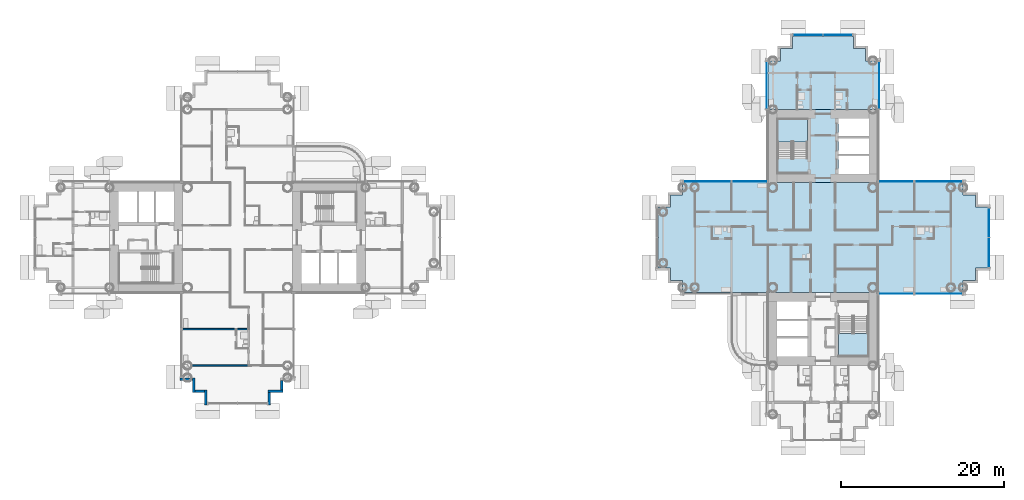
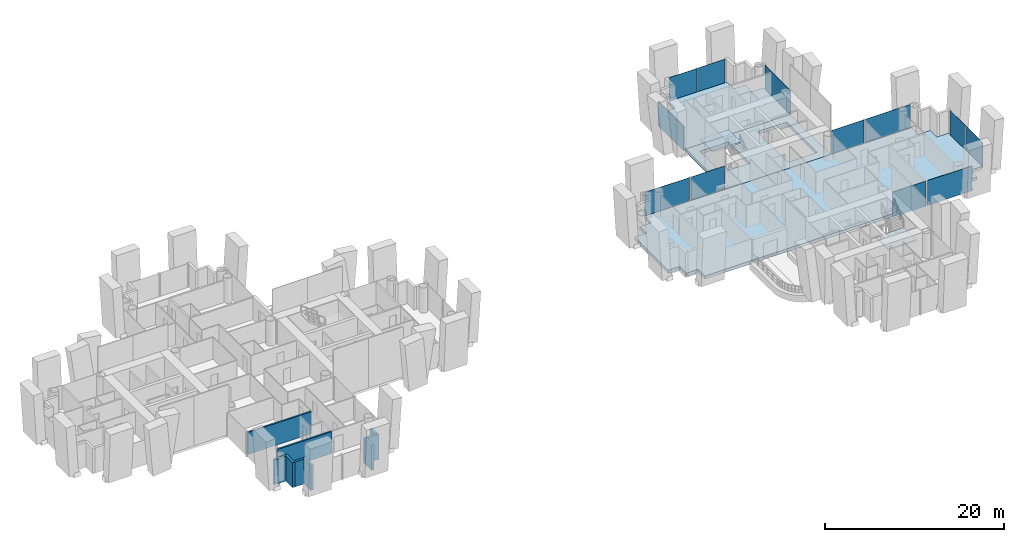
# One storey, part 9 of 23: 12 plates, 9 walls, 5 slabs, 12 elements without a shape of their own.
"""IFC4 building model written with IfcOpenShell, lengths in metres."""

from ifc_helpers import new_model, si_unit, direction, frame, frame_2d, origin, origin_2d, place, context, subcontext, project, spatial, polyline, rectangle, outline, extrude, material, layer, layer_set, type_object, element, aggregate, save


model = new_model("IFC4")

# Units and contexts
model_context = context("Model", 3, precision=1e-05, world=origin(), true_north=direction((0.0, 1.0)))
body_context = subcontext(model_context, "Body", "Model", "MODEL_VIEW")
ifc_project = project(units=[si_unit("LENGTHUNIT", "METRE"), si_unit("AREAUNIT", "SQUARE_METRE"), si_unit("VOLUMEUNIT", "CUBIC_METRE"), si_unit("PLANEANGLEUNIT", "RADIAN"), si_unit("MASSUNIT", "GRAM", prefix="KILO")], contexts=[model_context])

# Site, building, storey
site_placement = place(None, origin())
site = spatial("IfcSite", under=ifc_project, at=site_placement, CompositionType="ELEMENT")
building_placement = place(site_placement, origin())
building = spatial("IfcBuilding", under=site, at=building_placement, Name="Ipe Terrace Towers", CompositionType="ELEMENT")
storey_placement = place(building_placement, frame((0.0, 0.0, 51.699951171875)))
storey = spatial("IfcBuildingStorey", under=building, at=storey_placement, Name="L13", CompositionType="ELEMENT", Elevation=51.699951171875)

# Slab
ifc_material_1 = material(Name="Concrete C30/37", Category="concrete")
ifc_layer_1 = layer(ifc_material_1, 0.39990234375)
ifc_layer_set_1 = layer_set([ifc_layer_1], Name="CORE FLOOR SLAB 400 C30-37")
slab_type_1 = type_object("IfcSlabType", Name="CORE FLOOR SLAB 400 C30-37", PredefinedType="FLOOR", material=ifc_layer_set_1)
slab_1_placement = place(storey_placement, frame((0.0, 0.0, -0.39990234375)))
element("IfcSlab", 1, at=slab_1_placement, inside=storey, type_object=slab_type_1, Name="Core floor T2-C1", PredefinedType="FLOOR", context=body_context, shape_type="SweptSolid", body=[
    extrude(outline(polyline([(29.25, 6.75), (29.25, 15.75), (42.75, 15.75), (42.75, 6.75), (29.25, 6.75)]), holes=[polyline([(41.64990234375, 7.85009765625), (41.64990234375, 14.64990234375), (37.89990234375, 14.64990234375), (37.89990234375, 7.85009765625), (41.64990234375, 7.85009765625)]), polyline([(30.449951171875, 9.800048828125), (34.10009765625, 9.800048828125), (34.10009765625, 14.550048828125), (30.449951171875, 14.550048828125), (30.449951171875, 9.800048828125)])]), origin(), (0.0, 0.0, 1.0), 0.39990234375),
])

# Stair, slab
ifc_material_2 = material(Name="Concrete C30/37", Category="concrete")
stair_type = type_object("IfcStairType", Name="Protected exit stair", PredefinedType="HALF_TURN_STAIR", material=ifc_material_2)
stair_1_placement = place(storey_placement, origin())
stair_1 = element("IfcStair", 2, at=stair_1_placement, inside=storey, type_object=stair_type, Name="L13 Exit stair T2-C1", PredefinedType="HALF_TURN_STAIR")
ifc_material_3 = material(Name="Concrete C30/37", Category="concrete")
ifc_layer_2 = layer(ifc_material_3, 0.199951171875)
ifc_layer_set_2 = layer_set([ifc_layer_2], Name="Exit stair landing 200")
slab_type_2 = type_object("IfcSlabType", Name="Exit stair landing 200", PredefinedType="LANDING", material=ifc_layer_set_2)
slab_2_placement = place(storey_placement, frame((0.0, 0.0, 1.5)))
slab_2 = element("IfcSlab", 3, at=slab_2_placement, type_object=slab_type_2, Name="T2-ST1 landing 1", PredefinedType="LANDING", context=body_context, shape_type="SweptSolid", body=[
    extrude(outline(polyline([(34.10009765625, 11.780029296875), (34.10009765625, 14.550048828125), (30.449951171875, 14.550048828125), (30.449951171875, 11.780029296875), (34.10009765625, 11.780029296875)])), origin(), (0.0, 0.0, 1.0), 0.199951171875),
])
aggregate(stair_1, [slab_2])

stair_2_placement = place(storey_placement, origin())
stair_2 = element("IfcStair", 4, at=stair_2_placement, inside=storey, type_object=stair_type, Name="L13 Exit stair T2-C2", PredefinedType="HALF_TURN_STAIR")
slab_3_placement = place(storey_placement, frame((0.0, 0.0, 1.5)))
slab_3 = element("IfcSlab", 5, at=slab_3_placement, type_object=slab_type_2, Name="T2-ST2 landing 1", PredefinedType="LANDING", context=body_context, shape_type="SweptSolid", body=[
    extrude(outline(polyline([(37.89990234375, -11.780029296875), (37.89990234375, -14.550048828125), (41.550048828125, -14.550048828125), (41.550048828125, -11.780029296875), (37.89990234375, -11.780029296875)])), origin(), (0.0, 0.0, 1.0), 0.199951171875),
])
aggregate(stair_2, [slab_3])

# Slabs
ifc_material_4 = material(Name="Concrete C40/50", Category="concrete")
ifc_layer_3 = layer(ifc_material_4, 0.39990234375)
ifc_layer_set_3 = layer_set([ifc_layer_3], Name="FLAT PLATE SLAB 400 C40-50")
slab_type_3 = type_object("IfcSlabType", Name="FLAT PLATE SLAB 400 C40-50", PredefinedType="FLOOR", material=ifc_layer_set_3)
slab_4_placement = place(storey_placement, frame((0.0, 0.0, -0.39990234375)))
element("IfcSlab", 6, at=slab_4_placement, inside=storey, type_object=slab_type_3, Name="Slab T2-FS-Z11", PredefinedType="FLOOR", context=body_context, shape_type="SweptSolid", body=[
    extrude(outline(polyline([(53.25, 5.25), (54.75, 5.25), (54.75, 3.75), (56.25, 3.75), (56.25, -3.75), (54.75, -3.75), (54.75, -5.25), (53.25, -5.25), (53.25, -6.75), (42.75, -6.75), (29.25, -6.75), (18.75, -6.75), (18.75, -5.25), (17.25, -5.25), (17.25, -3.75), (15.75, -3.75), (15.75, 3.75), (17.25, 3.75), (17.25, 5.25), (18.75, 5.25), (18.75, 6.75), (29.25, 6.75), (42.75, 6.75), (53.25, 6.75), (53.25, 5.25)])), origin(), (0.0, 0.0, 1.0), 0.39990234375),
])
slab_5_placement = place(storey_placement, frame((0.0, 0.0, -0.39990234375)))
element("IfcSlab", 7, at=slab_5_placement, inside=storey, type_object=slab_type_3, Name="Slab T2-FS-Z13", PredefinedType="FLOOR", context=body_context, shape_type="SweptSolid", body=[
    extrude(outline(polyline([(30.75, 21.75), (30.75, 23.25), (32.25, 23.25), (32.25, 24.75), (39.75, 24.75), (39.75, 23.25), (41.25, 23.25), (41.25, 21.75), (42.75, 21.75), (42.75, 15.75), (29.25, 15.75), (29.25, 21.75), (30.75, 21.75)])), origin(), (0.0, 0.0, 1.0), 0.39990234375),
])

# Curtain wall, plate
ifc_material_5 = material(Name="Aluminium alloy 6063-T6", Category="aluminium")
ifc_layer_4 = layer(ifc_material_5, 0.320068359375)
ifc_layer_set_4 = layer_set([ifc_layer_4], Name="TOWER UNITISED CURTAIN WALL")
curtain_wall_type = type_object("IfcCurtainWallType", Name="TOWER UNITISED CURTAIN WALL", PredefinedType="NOTDEFINED", material=ifc_layer_set_4)
curtain_wall_1_placement = place(storey_placement, origin())
curtain_wall_1 = element("IfcCurtainWall", 8, at=curtain_wall_1_placement, inside=storey, type_object=curtain_wall_type, Name="T2-CW-L13-06a curtain wall", PredefinedType="NOTDEFINED")
ifc_material_6 = material(Name="Glass, clear laminated", Category="glass")
ifc_layer_5 = layer(ifc_material_6, 0.031982421875)
ifc_layer_set_5 = layer_set([ifc_layer_5], Name="TOWER UNITISED GLASS PANEL 32")
plate_type = type_object("IfcPlateType", Name="TOWER UNITISED GLASS PANEL 32", PredefinedType="CURTAIN_PANEL", material=ifc_layer_set_5)
plate_1_placement = place(storey_placement, frame((45.0, -6.909912109375, -0.2998046875), z_axis=(0.0, 0.0, 1.0), x_axis=(1.0, 0.0, 0.0)))
plate_1 = element("IfcPlate", 9, at=plate_1_placement, type_object=plate_type, Name="T2-CW-L13-06a panel 1", PredefinedType="CURTAIN_PANEL", context=body_context, shape_type="SweptSolid", body=[
    extrude(rectangle(XDim=4.260009765625, YDim=0.031982421875, at=origin_2d()), origin(), (0.0, 0.0, 1.0), 3.39990234375),
])
aggregate(curtain_wall_1, [plate_1])

curtain_wall_2_placement = place(storey_placement, origin())
curtain_wall_2 = element("IfcCurtainWall", 10, at=curtain_wall_2_placement, inside=storey, type_object=curtain_wall_type, Name="T2-CW-L13-07a curtain wall", PredefinedType="NOTDEFINED")
plate_2_placement = place(storey_placement, frame((50.25, -6.909912109375, -0.2998046875), z_axis=(0.0, 0.0, 1.0), x_axis=(1.0, 0.0, 0.0)))
plate_2 = element("IfcPlate", 11, at=plate_2_placement, type_object=plate_type, Name="T2-CW-L13-07a panel 1", PredefinedType="CURTAIN_PANEL", context=body_context, shape_type="SweptSolid", body=[
    extrude(rectangle(XDim=5.760009765625, YDim=0.031982421875, at=origin_2d()), origin(), (0.0, 0.0, 1.0), 3.39990234375),
])
aggregate(curtain_wall_2, [plate_2])

# Curtain wall, plates
curtain_wall_3_placement = place(storey_placement, origin())
curtain_wall_3 = element("IfcCurtainWall", 12, at=curtain_wall_3_placement, inside=storey, type_object=curtain_wall_type, Name="T2-CW-L13-12a curtain wall", PredefinedType="NOTDEFINED")
plate_3_placement = place(storey_placement, frame((56.409912109375, -1.831298828125, -0.2998046875), z_axis=(0.0, 0.0, 1.0), x_axis=(0.0, 1.0, 0.0)))
plate_3 = element("IfcPlate", 13, at=plate_3_placement, type_object=plate_type, Name="T2-CW-L13-12a panel 1", PredefinedType="CURTAIN_PANEL", context=body_context, shape_type="SweptSolid", body=[
    extrude(rectangle(XDim=3.597412109375, YDim=0.031982421875, at=origin_2d()), origin(), (0.0, 0.0, 1.0), 3.39990234375),
])
plate_4_placement = place(storey_placement, frame((56.409912109375, 1.831298828125, -0.2998046875), z_axis=(0.0, 0.0, 1.0), x_axis=(0.0, 1.0, 0.0)))
plate_4 = element("IfcPlate", 14, at=plate_4_placement, type_object=plate_type, Name="T2-CW-L13-12a panel 2", PredefinedType="CURTAIN_PANEL", context=body_context, shape_type="SweptSolid", body=[
    extrude(rectangle(XDim=3.597412109375, YDim=0.031982421875, at=origin_2d()), origin(), (0.0, 0.0, 1.0), 3.39990234375),
])
aggregate(curtain_wall_3, [plate_3, plate_4])

# Curtain wall, plate
curtain_wall_4_placement = place(storey_placement, origin())
curtain_wall_4 = element("IfcCurtainWall", 15, at=curtain_wall_4_placement, inside=storey, type_object=curtain_wall_type, Name="T2-CW-L13-17a curtain wall", PredefinedType="NOTDEFINED")
plate_5_placement = place(storey_placement, frame((50.25, 6.909912109375, -0.2998046875), z_axis=(0.0, 0.0, 1.0), x_axis=(-1.0, 0.0, 0.0)))
plate_5 = element("IfcPlate", 16, at=plate_5_placement, type_object=plate_type, Name="T2-CW-L13-17a panel 1", PredefinedType="CURTAIN_PANEL", context=body_context, shape_type="SweptSolid", body=[
    extrude(rectangle(XDim=5.760009765625, YDim=0.031982421875, at=origin_2d()), origin(), (0.0, 0.0, 1.0), 3.39990234375),
])
aggregate(curtain_wall_4, [plate_5])

curtain_wall_5_placement = place(storey_placement, origin())
curtain_wall_5 = element("IfcCurtainWall", 17, at=curtain_wall_5_placement, inside=storey, type_object=curtain_wall_type, Name="T2-CW-L13-18a curtain wall", PredefinedType="NOTDEFINED")
plate_6_placement = place(storey_placement, frame((45.0, 6.909912109375, -0.2998046875), z_axis=(0.0, 0.0, 1.0), x_axis=(-1.0, 0.0, 0.0)))
plate_6 = element("IfcPlate", 18, at=plate_6_placement, type_object=plate_type, Name="T2-CW-L13-18a panel 1", PredefinedType="CURTAIN_PANEL", context=body_context, shape_type="SweptSolid", body=[
    extrude(rectangle(XDim=4.260009765625, YDim=0.031982421875, at=origin_2d()), origin(), (0.0, 0.0, 1.0), 3.39990234375),
])
aggregate(curtain_wall_5, [plate_6])

curtain_wall_6_placement = place(storey_placement, origin())
curtain_wall_6 = element("IfcCurtainWall", 19, at=curtain_wall_6_placement, inside=storey, type_object=curtain_wall_type, Name="T2-CW-L13-20b curtain wall", PredefinedType="NOTDEFINED")
plate_7_placement = place(storey_placement, frame((42.909912109375, 18.75048828125, -0.2998046875), z_axis=(0.0, 0.0, 1.0), x_axis=(0.0, 1.0, 0.0)))
plate_7 = element("IfcPlate", 20, at=plate_7_placement, type_object=plate_type, Name="T2-CW-L13-20b panel 1", PredefinedType="CURTAIN_PANEL", context=body_context, shape_type="SweptSolid", body=[
    extrude(rectangle(XDim=5.759033203125, YDim=0.031982421875, at=origin_2d()), origin(), (0.0, 0.0, 1.0), 3.39990234375),
])
aggregate(curtain_wall_6, [plate_7])

# Curtain wall, plates
curtain_wall_7_placement = place(storey_placement, origin())
curtain_wall_7 = element("IfcCurtainWall", 21, at=curtain_wall_7_placement, inside=storey, type_object=curtain_wall_type, Name="T2-CW-L13-25a curtain wall", PredefinedType="NOTDEFINED")
plate_8_placement = place(storey_placement, frame((37.831298828125, 24.909912109375, -0.2998046875), z_axis=(0.0, 0.0, 1.0), x_axis=(-1.0, 0.0, 0.0)))
plate_8 = element("IfcPlate", 22, at=plate_8_placement, type_object=plate_type, Name="T2-CW-L13-25a panel 1", PredefinedType="CURTAIN_PANEL", context=body_context, shape_type="SweptSolid", body=[
    extrude(rectangle(XDim=3.597412109375, YDim=0.031982421875, at=origin_2d()), origin(), (0.0, 0.0, 1.0), 3.39990234375),
])
plate_9_placement = place(storey_placement, frame((34.168701171875, 24.909912109375, -0.2998046875), z_axis=(0.0, 0.0, 1.0), x_axis=(-1.0, 0.0, 0.0)))
plate_9 = element("IfcPlate", 23, at=plate_9_placement, type_object=plate_type, Name="T2-CW-L13-25a panel 2", PredefinedType="CURTAIN_PANEL", context=body_context, shape_type="SweptSolid", body=[
    extrude(rectangle(XDim=3.597412109375, YDim=0.031982421875, at=origin_2d()), origin(), (0.0, 0.0, 1.0), 3.39990234375),
])
aggregate(curtain_wall_7, [plate_8, plate_9])

# Curtain wall, plate
curtain_wall_8_placement = place(storey_placement, origin())
curtain_wall_8 = element("IfcCurtainWall", 24, at=curtain_wall_8_placement, inside=storey, type_object=curtain_wall_type, Name="T2-CW-L13-30a curtain wall", PredefinedType="NOTDEFINED")
plate_10_placement = place(storey_placement, frame((29.090087890625, 18.75048828125, -0.2998046875), z_axis=(0.0, 0.0, 1.0), x_axis=(0.0, -1.0, 0.0)))
plate_10 = element("IfcPlate", 25, at=plate_10_placement, type_object=plate_type, Name="T2-CW-L13-30a panel 1", PredefinedType="CURTAIN_PANEL", context=body_context, shape_type="SweptSolid", body=[
    extrude(rectangle(XDim=5.759033203125, YDim=0.031982421875, at=origin_2d()), origin(), (0.0, 0.0, 1.0), 3.39990234375),
])
aggregate(curtain_wall_8, [plate_10])

curtain_wall_9_placement = place(storey_placement, origin())
curtain_wall_9 = element("IfcCurtainWall", 26, at=curtain_wall_9_placement, inside=storey, type_object=curtain_wall_type, Name="T2-CW-L13-32a curtain wall", PredefinedType="NOTDEFINED")
plate_11_placement = place(storey_placement, frame((27.0, 6.909912109375, -0.2998046875), z_axis=(0.0, 0.0, 1.0), x_axis=(-1.0, 0.0, 0.0)))
plate_11 = element("IfcPlate", 27, at=plate_11_placement, type_object=plate_type, Name="T2-CW-L13-32a panel 1", PredefinedType="CURTAIN_PANEL", context=body_context, shape_type="SweptSolid", body=[
    extrude(rectangle(XDim=4.260009765625, YDim=0.031982421875, at=origin_2d()), origin(), (0.0, 0.0, 1.0), 3.39990234375),
])
aggregate(curtain_wall_9, [plate_11])

curtain_wall_10_placement = place(storey_placement, origin())
curtain_wall_10 = element("IfcCurtainWall", 28, at=curtain_wall_10_placement, inside=storey, type_object=curtain_wall_type, Name="T2-CW-L13-33a curtain wall", PredefinedType="NOTDEFINED")
plate_12_placement = place(storey_placement, frame((21.75, 6.909912109375, -0.2998046875), z_axis=(0.0, 0.0, 1.0), x_axis=(-1.0, 0.0, 0.0)))
plate_12 = element("IfcPlate", 29, at=plate_12_placement, type_object=plate_type, Name="T2-CW-L13-33a panel 1", PredefinedType="CURTAIN_PANEL", context=body_context, shape_type="SweptSolid", body=[
    extrude(rectangle(XDim=5.760009765625, YDim=0.031982421875, at=origin_2d()), origin(), (0.0, 0.0, 1.0), 3.39990234375),
])
aggregate(curtain_wall_10, [plate_12])

# Walls
ifc_material_7 = material(Name="Concrete C40/50 with buff precast cladding", Category="concrete")
ifc_layer_6 = layer(ifc_material_7, 0.320068359375)
ifc_layer_set_6 = layer_set([ifc_layer_6], Name="BUFF CLADDING WALL 320")
wall_type_1 = type_object("IfcWallType", Name="BUFF CLADDING WALL 320", PredefinedType="STANDARD", material=ifc_layer_set_6)
wall_1_placement = place(storey_placement, frame((-43.070068359375, -17.409912109375, -0.300048828125), z_axis=(0.0, 0.0, 1.0), x_axis=(1.0, 0.0, 0.0)))
element("IfcWall", 30, at=wall_1_placement, inside=storey, type_object=wall_type_1, Name="T1-W-L13-08a wall", PredefinedType="STANDARD", context=body_context, shape_type="SweptSolid", body=[
    extrude(rectangle(XDim=1.5, YDim=0.320068359375, at=frame_2d((0.75, 0.0))), origin(), (0.0, 0.0, 1.0), 3.400146484375),
])
wall_2_placement = place(storey_placement, frame((-41.409912109375, -17.25, -0.300048828125), z_axis=(0.0, 0.0, 1.0), x_axis=(0.0, -1.0, 0.0)))
element("IfcWall", 31, at=wall_2_placement, inside=storey, type_object=wall_type_1, Name="T1-W-L13-09a wall", PredefinedType="STANDARD", context=body_context, shape_type="SweptSolid", body=[
    extrude(rectangle(XDim=1.820068359375, YDim=0.320068359375, at=frame_2d((0.91015625, 0.0))), origin(), (0.0, 0.0, 1.0), 3.400146484375),
])
wall_3_placement = place(storey_placement, frame((-41.25, -18.909912109375, -0.300048828125), z_axis=(0.0, 0.0, 1.0), x_axis=(1.0, 0.0, 0.0)))
element("IfcWall", 32, at=wall_3_placement, inside=storey, type_object=wall_type_1, Name="T1-W-L13-10a wall", PredefinedType="STANDARD", context=body_context, shape_type="SweptSolid", body=[
    extrude(rectangle(XDim=1.179931640625, YDim=0.320068359375, at=frame_2d((0.58984375, 0.0))), origin(), (0.0, 0.0, 1.0), 3.400146484375),
])
wall_4_placement = place(storey_placement, frame((-39.909912109375, -18.75, -0.300048828125), z_axis=(0.0, 0.0, 1.0), x_axis=(0.0, -1.0, 0.0)))
element("IfcWall", 33, at=wall_4_placement, inside=storey, type_object=wall_type_1, Name="T1-W-L13-11a wall", PredefinedType="STANDARD", context=body_context, shape_type="SweptSolid", body=[
    extrude(rectangle(XDim=1.820068359375, YDim=0.320068359375, at=frame_2d((0.91015625, 0.0))), origin(), (0.0, 0.0, 1.0), 3.400146484375),
])
wall_5_placement = place(storey_placement, frame((-32.090087890625, -20.570068359375, -0.300048828125), z_axis=(0.0, 0.0, 1.0), x_axis=(0.0, 1.0, 0.0)))
element("IfcWall", 34, at=wall_5_placement, inside=storey, type_object=wall_type_1, Name="T1-W-L13-13a wall", PredefinedType="STANDARD", context=body_context, shape_type="SweptSolid", body=[
    extrude(rectangle(XDim=1.5, YDim=0.320068359375, at=frame_2d((0.75, 0.0))), origin(), (0.0, 0.0, 1.0), 3.400146484375),
])
wall_6_placement = place(storey_placement, frame((-32.25, -18.909912109375, -0.300048828125), z_axis=(0.0, 0.0, 1.0), x_axis=(1.0, 0.0, 0.0)))
element("IfcWall", 35, at=wall_6_placement, inside=storey, type_object=wall_type_1, Name="T1-W-L13-14a wall", PredefinedType="STANDARD", context=body_context, shape_type="SweptSolid", body=[
    extrude(rectangle(XDim=1.820068359375, YDim=0.320068359375, at=frame_2d((0.91015625, 0.0))), origin(), (0.0, 0.0, 1.0), 3.400146484375),
])
wall_7_placement = place(storey_placement, frame((-30.590087890625, -18.75, -0.300048828125), z_axis=(0.0, 0.0, 1.0), x_axis=(0.0, 1.0, 0.0)))
element("IfcWall", 36, at=wall_7_placement, inside=storey, type_object=wall_type_1, Name="T1-W-L13-15a wall", PredefinedType="STANDARD", context=body_context, shape_type="SweptSolid", body=[
    extrude(rectangle(XDim=1.179931640625, YDim=0.320068359375, at=frame_2d((0.58984375, 0.0))), origin(), (0.0, 0.0, 1.0), 3.400146484375),
])
ifc_material_8 = material(Name="Gypsum board party wall", Category="plasterboard")
ifc_layer_7 = layer(ifc_material_8, 0.199951171875)
ifc_layer_set_7 = layer_set([ifc_layer_7], Name="Gypsum board party wall 200 mm")
wall_type_2 = type_object("IfcWallType", Name="Gypsum board party wall 200 mm", PredefinedType="SOLIDWALL", material=ifc_layer_set_7)
wall_8_placement = place(storey_placement, frame((-41.64990234375, -15.75, 0.0), z_axis=(0.0, 0.0, 1.0), x_axis=(1.0, 0.0, 0.0)))
element("IfcWall", 37, at=wall_8_placement, inside=storey, type_object=wall_type_2, Name="Gypsum board party wall T1 L13 W21", PredefinedType="SOLIDWALL", context=body_context, shape_type="SweptSolid", body=[
    extrude(rectangle(XDim=7.0, YDim=0.199951171875, at=frame_2d((3.5, 0.0))), origin(), (0.0, 0.0, 1.0), 3.0),
])
wall_9_placement = place(storey_placement, frame((-42.85009765625, -11.25, 0.0), z_axis=(0.0, 0.0, 1.0), x_axis=(1.0, 0.0, 0.0)))
element("IfcWall", 38, at=wall_9_placement, inside=storey, type_object=wall_type_2, Name="Gypsum board party wall T1 L13 W24", PredefinedType="SOLIDWALL", context=body_context, shape_type="SweptSolid", body=[
    extrude(rectangle(XDim=8.2001953125, YDim=0.199951171875, at=frame_2d((4.10009765625, 0.0))), origin(), (0.0, 0.0, 1.0), 3.0),
])

save(model, "model.ifc")
